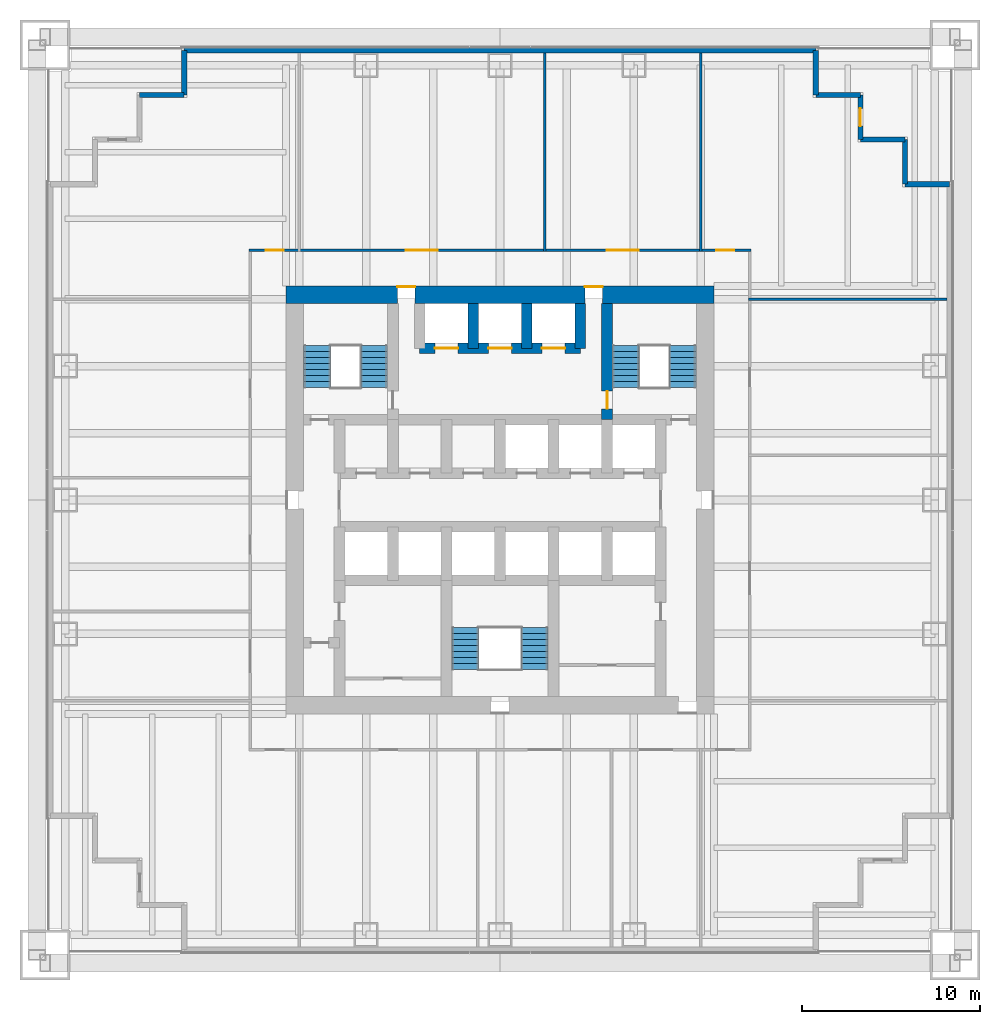
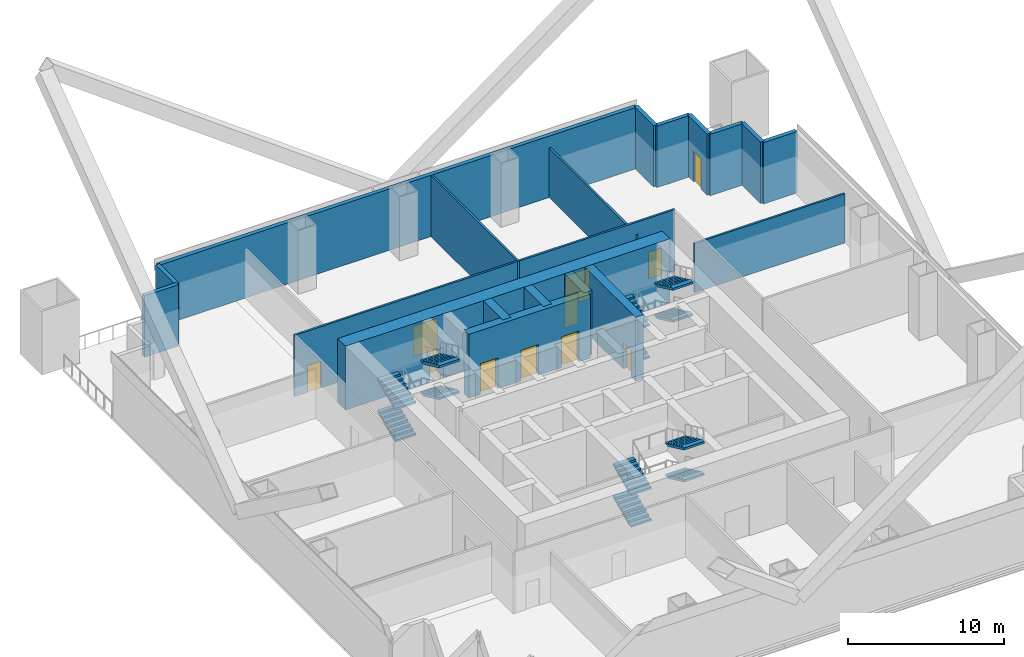
# One storey, part 4 of 6: 19 walls, 12 stair flights, 11 doors, 11 openings, 3 elements without a shape of their own.
"""IFC4 building model written with IfcOpenShell, lengths in metres."""

from ifc_helpers import new_model, si_unit, direction, frame, frame_2d, origin, place, context, subcontext, project, spatial, polyline, rectangle, outline, extrude, material, layer, layer_set, type_object, element, fill, aggregate, save


model = new_model("IFC4")

# Units and contexts
model_context = context("Model", 3, precision=1e-05, world=origin(), true_north=direction((0.0, 1.0)))
body_context = subcontext(model_context, "Body", "Model", "MODEL_VIEW")
ifc_project = project(units=[si_unit("LENGTHUNIT", "METRE"), si_unit("AREAUNIT", "SQUARE_METRE"), si_unit("VOLUMEUNIT", "CUBIC_METRE"), si_unit("PLANEANGLEUNIT", "RADIAN"), si_unit("MASSUNIT", "GRAM", prefix="KILO")], contexts=[model_context])

# Site, building, storey
site_placement = place(None, origin())
site = spatial("IfcSite", under=ifc_project, at=site_placement, CompositionType="ELEMENT")
building_placement = place(site_placement, origin())
building = spatial("IfcBuilding", under=site, at=building_placement, Name="Tarangal Relay Tower", CompositionType="ELEMENT")
storey_placement = place(building_placement, frame((0.0, 0.0, 38.39990234375)))
storey = spatial("IfcBuildingStorey", under=building, at=storey_placement, Name="L07", CompositionType="ELEMENT", Elevation=38.39990234375)

# Wall, openings, doors
ifc_material_1 = material(Name="Concrete fc' 60 MPa", Category="concrete")
ifc_layer_1 = layer(ifc_material_1, 0.60009765625)
ifc_layer_set_1 = layer_set([ifc_layer_1], Name="Core inner wall 600")
wall_type_1 = type_object("IfcWallType", Name="Core inner wall 600", PredefinedType="SHEAR", material=ifc_layer_set_1)
wall_1_placement = place(storey_placement, frame((-4.5, 8.5, 0.0), z_axis=(0.0, 0.0, 1.0), x_axis=(1.0, 0.0, 0.0)))
wall_1 = element("IfcWall", 1, at=wall_1_placement, inside=storey, type_object=wall_type_1, Name="Core wall Y85 L07", PredefinedType="SHEAR", context=body_context, shape_type="SweptSolid", body=[
    extrude(rectangle(XDim=9.0, YDim=0.60009765625, at=frame_2d((4.5, 0.0))), origin(), (0.0, 0.0, 1.0), 5.0),
])
opening_1_placement = place(wall_1_placement, frame((0.85009765625, 0.0, 0.0)))
opening_1 = element("IfcOpeningElement", 2, at=opening_1_placement, cuts=wall_1, Name="Opening LD2", PredefinedType="OPENING", context=body_context, shape_type="SweptSolid", body=[
    extrude(rectangle(XDim=1.300048828125, YDim=2.39990234375, at=frame_2d((0.64990234375, 1.199951171875))), frame((0.0, 0.31005859375, 0.0), z_axis=(0.0, -1.0, 0.0), x_axis=(1.0, 0.0, 0.0)), (0.0, 0.0, 1.0), 0.6201171875),
])
opening_2_placement = place(wall_1_placement, frame((6.85009765625, 0.0, 0.0)))
opening_2 = element("IfcOpeningElement", 3, at=opening_2_placement, cuts=wall_1, Name="Opening LD2", PredefinedType="OPENING", context=body_context, shape_type="SweptSolid", body=[
    extrude(rectangle(XDim=1.300048828125, YDim=2.39990234375, at=frame_2d((0.64990234375, 1.199951171875))), frame((0.0, 0.31005859375, 0.0), z_axis=(0.0, -1.0, 0.0), x_axis=(1.0, 0.0, 0.0)), (0.0, 0.0, 1.0), 0.6201171875),
])
opening_3_placement = place(wall_1_placement, frame((3.85009765625, 0.0, 0.0)))
opening_3 = element("IfcOpeningElement", 4, at=opening_3_placement, cuts=wall_1, Name="Opening LD2", PredefinedType="OPENING", context=body_context, shape_type="SweptSolid", body=[
    extrude(rectangle(XDim=1.300048828125, YDim=2.39990234375, at=frame_2d((0.64990234375, 1.199951171875))), frame((0.0, 0.31005859375, 0.0), z_axis=(0.0, -1.0, 0.0), x_axis=(1.0, 0.0, 0.0)), (0.0, 0.0, 1.0), 0.6201171875),
])
ifc_material_2 = material(Name="Steel door with hardwood frame", Category="steel")
door_type_1 = type_object("IfcDoorType", Name="Lift landing door 1300 x 2400", OperationType="SLIDING_TO_LEFT", PredefinedType="DOOR", material=ifc_material_2)
door_1_placement = place(opening_1_placement, origin())
door_1 = element("IfcDoor", 5, at=door_1_placement, inside=storey, type_object=door_type_1, Name="Lift FF1 landing door L07", OperationType="SLIDING_TO_LEFT", OverallHeight=2.39990234375, OverallWidth=1.300048828125, PredefinedType="DOOR", context=body_context, shape_type="SweptSolid", body=[
    extrude(rectangle(XDim=1.300048828125, YDim=2.39990234375, at=frame_2d((0.64990234375, 1.199951171875))), frame((0.0, 0.02490234375, 0.0), z_axis=(0.0, -1.0, 0.0), x_axis=(1.0, 0.0, 0.0)), (0.0, 0.0, 1.0), 0.050048828125),
])
fill(opening_1, door_1)
door_2_placement = place(opening_2_placement, origin())
door_2 = element("IfcDoor", 6, at=door_2_placement, inside=storey, type_object=door_type_1, Name="Lift FF2 landing door L07", OperationType="SLIDING_TO_LEFT", OverallHeight=2.39990234375, OverallWidth=1.300048828125, PredefinedType="DOOR", context=body_context, shape_type="SweptSolid", body=[
    extrude(rectangle(XDim=1.300048828125, YDim=2.39990234375, at=frame_2d((0.64990234375, 1.199951171875))), frame((0.0, 0.02490234375, 0.0), z_axis=(0.0, -1.0, 0.0), x_axis=(1.0, 0.0, 0.0)), (0.0, 0.0, 1.0), 0.050048828125),
])
fill(opening_2, door_2)
door_3_placement = place(opening_3_placement, origin())
door_3 = element("IfcDoor", 7, at=door_3_placement, inside=storey, type_object=door_type_1, Name="Lift SV1 landing door L07", OperationType="SLIDING_TO_LEFT", OverallHeight=2.39990234375, OverallWidth=1.300048828125, PredefinedType="DOOR", context=body_context, shape_type="SweptSolid", body=[
    extrude(rectangle(XDim=1.300048828125, YDim=2.39990234375, at=frame_2d((0.64990234375, 1.199951171875))), frame((0.0, 0.02490234375, 0.0), z_axis=(0.0, -1.0, 0.0), x_axis=(1.0, 0.0, 0.0)), (0.0, 0.0, 1.0), 0.050048828125),
])
fill(opening_3, door_3)

# Wall, opening, door
wall_2_placement = place(storey_placement, frame((6.0, 4.5, 0.0), z_axis=(0.0, 0.0, 1.0), x_axis=(0.0, 1.0, 0.0)))
wall_2 = element("IfcWall", 8, at=wall_2_placement, inside=storey, type_object=wall_type_1, Name="Core wall X6 L07", PredefinedType="SHEAR", context=body_context, shape_type="SweptSolid", body=[
    extrude(rectangle(XDim=6.5, YDim=0.60009765625, at=frame_2d((3.25, 0.0))), origin(), (0.0, 0.0, 1.0), 5.0),
])
opening_4_placement = place(wall_2_placement, frame((0.60009765625, 0.0, 0.0)))
opening_4 = element("IfcOpeningElement", 9, at=opening_4_placement, cuts=wall_2, Name="Opening FD1", PredefinedType="OPENING", context=body_context, shape_type="SweptSolid", body=[
    extrude(rectangle(XDim=1.0, YDim=2.10009765625, at=frame_2d((0.5, 1.050048828125))), frame((0.0, 0.31005859375, 0.0), z_axis=(0.0, -1.0, 0.0), x_axis=(1.0, 0.0, 0.0)), (0.0, 0.0, 1.0), 0.6201171875),
])
door_type_2 = type_object("IfcDoorType", Name="Fire door 1000 x 2100", OperationType="SINGLE_SWING_LEFT", PredefinedType="DOOR", material=ifc_material_2)
door_4_placement = place(opening_4_placement, origin())
door_4 = element("IfcDoor", 10, at=door_4_placement, inside=storey, type_object=door_type_2, Name="Stair ST-B door from fire-fighting lobby L07", OperationType="SINGLE_SWING_LEFT", OverallHeight=2.10009765625, OverallWidth=1.0, PredefinedType="DOOR", context=body_context, shape_type="SweptSolid", body=[
    extrude(rectangle(XDim=1.0, YDim=2.10009765625, at=frame_2d((0.5, 1.050048828125))), frame((0.0, 0.02490234375, 0.0), z_axis=(0.0, -1.0, 0.0), x_axis=(1.0, 0.0, 0.0)), (0.0, 0.0, 1.0), 0.050048828125),
])
fill(opening_4, door_4)

# Walls
for number, where, z_axis, x_axis, name in (
    (11, (4.5, 8.5, 0.0), (0.0, 0.0, 1.0), (0.0, 1.0, 0.0), "Core wall X45 L07"),
    (12, (-1.5, 8.5, 0.0), (0.0, 0.0, 1.0), (0.0, 1.0, 0.0), "Core wall XM15 L07"),
    (13, (1.5, 8.5, 0.0), (0.0, 0.0, 1.0), (0.0, 1.0, 0.0), "Core wall X15 L07"),
):
    element("IfcWall", number, at=place(storey_placement, frame(where, z_axis=z_axis, x_axis=x_axis)), inside=storey, type_object=wall_type_1, Name=name, PredefinedType="SHEAR", context=body_context, shape_type="SweptSolid", body=[
        extrude(rectangle(XDim=2.5, YDim=0.60009765625, at=frame_2d((1.25, 0.0))), origin(), (0.0, 0.0, 1.0), 5.0),
    ])

# Wall, openings, doors
ifc_layer_2 = layer(ifc_material_1, 1.0)
ifc_layer_set_2 = layer_set([ifc_layer_2], Name="Core wall 1000")
wall_type_2 = type_object("IfcWallType", Name="Core wall 1000", PredefinedType="SHEAR", material=ifc_layer_set_2)
wall_3_placement = place(storey_placement, frame((-12.0, 11.5, 0.0), z_axis=(0.0, 0.0, 1.0), x_axis=(1.0, 0.0, 0.0)))
wall_3 = element("IfcWall", 14, at=wall_3_placement, inside=storey, type_object=wall_type_2, Name="Core wall N L07", PredefinedType="SHEAR", context=body_context, shape_type="SweptSolid", body=[
    extrude(rectangle(XDim=24.0, YDim=1.0, at=frame_2d((12.0, 0.0))), origin(), (0.0, 0.0, 1.0), 5.0),
])
opening_5_placement = place(wall_3_placement, frame((6.25, 0.0, 0.0)))
opening_5 = element("IfcOpeningElement", 15, at=opening_5_placement, cuts=wall_3, Name="Opening FD3", PredefinedType="OPENING", context=body_context, shape_type="SweptSolid", body=[
    extrude(rectangle(XDim=1.0, YDim=2.39990234375, at=frame_2d((0.5, 1.199951171875))), frame((0.0, 0.510009765625, 0.0), z_axis=(0.0, -1.0, 0.0), x_axis=(1.0, 0.0, 0.0)), (0.0, 0.0, 1.0), 1.02001953125),
])
opening_6_placement = place(wall_3_placement, frame((16.75, 0.0, 0.0)))
opening_6 = element("IfcOpeningElement", 16, at=opening_6_placement, cuts=wall_3, Name="Opening FD3", PredefinedType="OPENING", context=body_context, shape_type="SweptSolid", body=[
    extrude(rectangle(XDim=1.0, YDim=2.39990234375, at=frame_2d((0.5, 1.199951171875))), frame((0.0, 0.510009765625, 0.0), z_axis=(0.0, -1.0, 0.0), x_axis=(1.0, 0.0, 0.0)), (0.0, 0.0, 1.0), 1.02001953125),
])
door_type_3 = type_object("IfcDoorType", Name="Fire door 1000 x 2400 core entry", OperationType="SINGLE_SWING_RIGHT", PredefinedType="DOOR", material=ifc_material_2)
door_5_placement = place(opening_5_placement, origin())
door_5 = element("IfcDoor", 17, at=door_5_placement, inside=storey, type_object=door_type_3, Name="Core entry door north west L07", OperationType="SINGLE_SWING_RIGHT", OverallHeight=2.39990234375, OverallWidth=1.0, PredefinedType="DOOR", context=body_context, shape_type="SweptSolid", body=[
    extrude(rectangle(XDim=1.0, YDim=2.39990234375, at=frame_2d((0.5, 1.199951171875))), frame((0.0, 0.48486328125, 0.0), z_axis=(0.0, -1.0, 0.0), x_axis=(1.0, 0.0, 0.0)), (0.0, 0.0, 1.0), 0.050048828125),
])
fill(opening_5, door_5)
door_6_placement = place(opening_6_placement, origin())
door_6 = element("IfcDoor", 18, at=door_6_placement, inside=storey, type_object=door_type_3, Name="Core entry door north east L07", OperationType="SINGLE_SWING_RIGHT", OverallHeight=2.39990234375, OverallWidth=1.0, PredefinedType="DOOR", context=body_context, shape_type="SweptSolid", body=[
    extrude(rectangle(XDim=1.0, YDim=2.39990234375, at=frame_2d((0.5, 1.199951171875))), frame((0.0, 0.48486328125, 0.0), z_axis=(0.0, -1.0, 0.0), x_axis=(1.0, 0.0, 0.0)), (0.0, 0.0, 1.0), 0.050048828125),
])
fill(opening_6, door_6)

# Walls
ifc_material_3 = material(Name="Insulated precast concrete fc' 40 MPa", Category="concrete")
ifc_layer_3 = layer(ifc_material_3, 0.300048828125)
ifc_layer_set_3 = layer_set([ifc_layer_3], Name="Insulated precast concrete fc' 40 MPa")
wall_type_3 = type_object("IfcWallType", Name="Facade wall precast 300", PredefinedType="SOLIDWALL", material=ifc_layer_set_3)
wall_4_placement = place(storey_placement, frame((-17.699951171875, 25.199951171875, 0.0), z_axis=(0.0, 0.0, 1.0), x_axis=(1.0, 0.0, 0.0)))
element("IfcWall", 19, at=wall_4_placement, inside=storey, type_object=wall_type_3, Name="Facade wall N facade L07", PredefinedType="SOLIDWALL", context=body_context, shape_type="SweptSolid", body=[
    extrude(rectangle(XDim=35.39990234375, YDim=0.300048828125, at=frame_2d((17.699951171875, 0.0))), origin(), (0.0, 0.0, 1.0), 4.800048828125),
])
for number, where, z_axis, x_axis, name in (
    (20, (17.699951171875, 25.199951171875, 0.0), (0.0, 0.0, 1.0), (0.0, -1.0, 0.0), "Facade wall N facade L07"),
    (21, (17.699951171875, 22.699951171875, 0.0), (0.0, 0.0, 1.0), (1.0, 0.0, 0.0), "Facade wall N facade L07"),
):
    element("IfcWall", number, at=place(storey_placement, frame(where, z_axis=z_axis, x_axis=x_axis)), inside=storey, type_object=wall_type_3, Name=name, PredefinedType="SOLIDWALL", context=body_context, shape_type="SweptSolid", body=[
        extrude(rectangle(XDim=2.5, YDim=0.300048828125, at=frame_2d((1.25, 0.0))), origin(), (0.0, 0.0, 1.0), 4.800048828125),
    ])

# Wall, opening, door
wall_5_placement = place(storey_placement, frame((20.199951171875, 22.699951171875, 0.0), z_axis=(0.0, 0.0, 1.0), x_axis=(0.0, -1.0, 0.0)))
wall_5 = element("IfcWall", 22, at=wall_5_placement, inside=storey, type_object=wall_type_3, Name="Facade wall N facade L07", PredefinedType="SOLIDWALL", context=body_context, shape_type="SweptSolid", body=[
    extrude(rectangle(XDim=2.5, YDim=0.300048828125, at=frame_2d((1.25, 0.0))), origin(), (0.0, 0.0, 1.0), 4.800048828125),
])
opening_7_placement = place(wall_5_placement, frame((0.75, 0.0, 0.0)))
opening_7 = element("IfcOpeningElement", 23, at=opening_7_placement, cuts=wall_5, Name="Opening TD1", PredefinedType="OPENING", context=body_context, shape_type="SweptSolid", body=[
    extrude(rectangle(XDim=1.0, YDim=2.39990234375, at=frame_2d((0.5, 1.199951171875))), frame((0.0, 0.159912109375, 0.0), z_axis=(0.0, -1.0, 0.0), x_axis=(1.0, 0.0, 0.0)), (0.0, 0.0, 1.0), 0.320068359375),
])
ifc_material_4 = material(Name="Aluminium glazed door", Category="aluminium")
door_type_4 = type_object("IfcDoorType", Name="Terrace door 1000 x 2400", OperationType="SINGLE_SWING_RIGHT", PredefinedType="DOOR", material=ifc_material_4)
door_7_placement = place(opening_7_placement, origin())
door_7 = element("IfcDoor", 24, at=door_7_placement, inside=storey, type_object=door_type_4, Name="Terrace door TD1 NE L07", OperationType="SINGLE_SWING_RIGHT", OverallHeight=2.39990234375, OverallWidth=1.0, PredefinedType="DOOR", context=body_context, shape_type="SweptSolid", body=[
    extrude(rectangle(XDim=1.0, YDim=2.39990234375, at=frame_2d((0.5, 1.199951171875))), frame((0.0, 0.02490234375, 0.0), z_axis=(0.0, -1.0, 0.0), x_axis=(1.0, 0.0, 0.0)), (0.0, 0.0, 1.0), 0.050048828125),
])
fill(opening_7, door_7)

# Walls
for number, where, z_axis, x_axis, name in (
    (25, (20.199951171875, 20.199951171875, 0.0), (0.0, 0.0, 1.0), (1.0, 0.0, 0.0), "Facade wall N facade L07"),
    (26, (22.699951171875, 20.199951171875, 0.0), (0.0, 0.0, 1.0), (0.0, -1.0, 0.0), "Facade wall N facade L07"),
    (27, (22.699951171875, 17.699951171875, 0.0), (0.0, 0.0, 1.0), (1.0, 0.0, 0.0), "Facade wall N facade L07"),
    (28, (-20.199951171875, 22.699951171875, 0.0), (0.0, 0.0, 1.0), (1.0, 0.0, 0.0), "Facade wall W facade L07"),
    (29, (-17.699951171875, 22.699951171875, 0.0), (0.0, 0.0, 1.0), (0.0, 1.0, 0.0), "Facade wall W facade L07"),
):
    element("IfcWall", number, at=place(storey_placement, frame(where, z_axis=z_axis, x_axis=x_axis)), inside=storey, type_object=wall_type_3, Name=name, PredefinedType="SOLIDWALL", context=body_context, shape_type="SweptSolid", body=[
        extrude(rectangle(XDim=2.5, YDim=0.300048828125, at=frame_2d((1.25, 0.0))), origin(), (0.0, 0.0, 1.0), 4.800048828125),
    ])
ifc_material_5 = material(Name="Gypsum board on steel studs", Category="steel")
ifc_layer_4 = layer(ifc_material_5, 0.14990234375)
ifc_layer_set_4 = layer_set([ifc_layer_4], Name="Partition 150")
wall_type_4 = type_object("IfcWallType", Name="Partition 150", PredefinedType="PARTITIONING", material=ifc_layer_set_4)
wall_6_placement = place(storey_placement, frame((13.925048828125, 11.25, 0.0), z_axis=(0.0, 0.0, 1.0), x_axis=(1.0, 0.0, 0.0)))
element("IfcWall", 30, at=wall_6_placement, inside=storey, type_object=wall_type_4, Name="Partition PT1 L07", PredefinedType="PARTITIONING", context=body_context, shape_type="SweptSolid", body=[
    extrude(rectangle(XDim=11.125, YDim=0.14990234375, at=frame_2d((5.5625, 0.0))), origin(), (0.0, 0.0, 1.0), 3.852783203125),
])

# Wall, openings, doors
wall_7_placement = place(storey_placement, frame((-14.074951171875, 14.0, 0.0), z_axis=(0.0, 0.0, 1.0), x_axis=(1.0, 0.0, 0.0)))
wall_7 = element("IfcWall", 31, at=wall_7_placement, inside=storey, type_object=wall_type_4, Name="Partition PT1 L07", PredefinedType="PARTITIONING", context=body_context, shape_type="SweptSolid", body=[
    extrude(rectangle(XDim=28.14990234375, YDim=0.14990234375, at=frame_2d((14.074951171875, 0.0))), origin(), (0.0, 0.0, 1.0), 4.800048828125),
])
opening_8_placement = place(wall_7_placement, frame((8.800048828125, 0.0, 0.0)))
opening_8 = element("IfcOpeningElement", 32, at=opening_8_placement, cuts=wall_7, Name="Opening DD1", PredefinedType="OPENING", context=body_context, shape_type="SweptSolid", body=[
    extrude(rectangle(XDim=1.800048828125, YDim=2.39990234375, at=frame_2d((0.89990234375, 1.199951171875))), frame((0.0, 0.0849609375, 0.0), z_axis=(0.0, -1.0, 0.0), x_axis=(1.0, 0.0, 0.0)), (0.0, 0.0, 1.0), 0.169921875),
])
opening_9_placement = place(wall_7_placement, frame((20.050048828125, 0.0, 0.0)))
opening_9 = element("IfcOpeningElement", 33, at=opening_9_placement, cuts=wall_7, Name="Opening DD1", PredefinedType="OPENING", context=body_context, shape_type="SweptSolid", body=[
    extrude(rectangle(XDim=1.800048828125, YDim=2.39990234375, at=frame_2d((0.89990234375, 1.199951171875))), frame((0.0, 0.0849609375, 0.0), z_axis=(0.0, -1.0, 0.0), x_axis=(1.0, 0.0, 0.0)), (0.0, 0.0, 1.0), 0.169921875),
])
opening_10_placement = place(wall_7_placement, frame((26.199951171875, 0.0, 0.0)))
opening_10 = element("IfcOpeningElement", 34, at=opening_10_placement, cuts=wall_7, Name="Opening D2", PredefinedType="OPENING", context=body_context, shape_type="SweptSolid", body=[
    extrude(rectangle(XDim=1.0, YDim=2.10009765625, at=frame_2d((0.5, 1.050048828125))), frame((0.0, 0.0849609375, 0.0), z_axis=(0.0, -1.0, 0.0), x_axis=(1.0, 0.0, 0.0)), (0.0, 0.0, 1.0), 0.169921875),
])
opening_11_placement = place(wall_7_placement, frame((0.949951171875, 0.0, 0.0)))
opening_11 = element("IfcOpeningElement", 35, at=opening_11_placement, cuts=wall_7, Name="Opening D2", PredefinedType="OPENING", context=body_context, shape_type="SweptSolid", body=[
    extrude(rectangle(XDim=1.0, YDim=2.10009765625, at=frame_2d((0.5, 1.050048828125))), frame((0.0, 0.0849609375, 0.0), z_axis=(0.0, -1.0, 0.0), x_axis=(1.0, 0.0, 0.0)), (0.0, 0.0, 1.0), 0.169921875),
])
ifc_material_6 = material(Name="Hardwood door", Category="wood")
door_type_5 = type_object("IfcDoorType", Name="Door 1000 x 2100", OperationType="SINGLE_SWING_LEFT", PredefinedType="DOOR", material=ifc_material_6)
door_8_placement = place(opening_10_placement, origin())
door_8 = element("IfcDoor", 36, at=door_8_placement, inside=storey, type_object=door_type_5, Name="Door D2 to engineering office L07-12", OperationType="SINGLE_SWING_LEFT", OverallHeight=2.10009765625, OverallWidth=1.0, PredefinedType="DOOR", context=body_context, shape_type="SweptSolid", body=[
    extrude(rectangle(XDim=1.0, YDim=2.10009765625, at=frame_2d((0.5, 1.050048828125))), frame((0.0, 0.02490234375, 0.0), z_axis=(0.0, -1.0, 0.0), x_axis=(1.0, 0.0, 0.0)), (0.0, 0.0, 1.0), 0.050048828125),
])
fill(opening_10, door_8)
door_9_placement = place(opening_11_placement, origin())
door_9 = element("IfcDoor", 37, at=door_9_placement, inside=storey, type_object=door_type_5, Name="Door D2 to network operations room L07-15", OperationType="SINGLE_SWING_LEFT", OverallHeight=2.10009765625, OverallWidth=1.0, PredefinedType="DOOR", context=body_context, shape_type="SweptSolid", body=[
    extrude(rectangle(XDim=1.0, YDim=2.10009765625, at=frame_2d((0.5, 1.050048828125))), frame((0.0, 0.02490234375, 0.0), z_axis=(0.0, -1.0, 0.0), x_axis=(1.0, 0.0, 0.0)), (0.0, 0.0, 1.0), 0.050048828125),
])
fill(opening_11, door_9)
door_type_6 = type_object("IfcDoorType", Name="Equipment double door 1800 x 2400", OperationType="DOUBLE_DOOR_SINGLE_SWING", PredefinedType="DOOR", material=ifc_material_2)
door_10_placement = place(opening_8_placement, origin())
door_10 = element("IfcDoor", 38, at=door_10_placement, inside=storey, type_object=door_type_6, Name="Door DD1 to data hall L07-02", OperationType="DOUBLE_DOOR_SINGLE_SWING", OverallHeight=2.39990234375, OverallWidth=1.800048828125, PredefinedType="DOOR", context=body_context, shape_type="SweptSolid", body=[
    extrude(rectangle(XDim=1.800048828125, YDim=2.39990234375, at=frame_2d((0.89990234375, 1.199951171875))), frame((0.0, 0.02490234375, 0.0), z_axis=(0.0, -1.0, 0.0), x_axis=(1.0, 0.0, 0.0)), (0.0, 0.0, 1.0), 0.050048828125),
])
fill(opening_8, door_10)
door_11_placement = place(opening_9_placement, origin())
door_11 = element("IfcDoor", 39, at=door_11_placement, inside=storey, type_object=door_type_6, Name="Door DD1 to meet-me room L07-03", OperationType="DOUBLE_DOOR_SINGLE_SWING", OverallHeight=2.39990234375, OverallWidth=1.800048828125, PredefinedType="DOOR", context=body_context, shape_type="SweptSolid", body=[
    extrude(rectangle(XDim=1.800048828125, YDim=2.39990234375, at=frame_2d((0.89990234375, 1.199951171875))), frame((0.0, 0.02490234375, 0.0), z_axis=(0.0, -1.0, 0.0), x_axis=(1.0, 0.0, 0.0)), (0.0, 0.0, 1.0), 0.050048828125),
])
fill(opening_9, door_11)

# Walls
wall_8_placement = place(storey_placement, frame((2.5, 13.925048828125, 0.0), z_axis=(0.0, 0.0, 1.0), x_axis=(0.0, 1.0, 0.0)))
element("IfcWall", 40, at=wall_8_placement, inside=storey, type_object=wall_type_4, Name="Partition PT1 L07", PredefinedType="PARTITIONING", context=body_context, shape_type="SweptSolid", body=[
    extrude(rectangle(XDim=11.125, YDim=0.14990234375, at=frame_2d((5.5625, 0.0))), origin(), (0.0, 0.0, 1.0), 4.800048828125),
])
wall_9_placement = place(storey_placement, frame((11.25, 13.925048828125, 0.0), z_axis=(0.0, 0.0, 1.0), x_axis=(0.0, 1.0, 0.0)))
element("IfcWall", 41, at=wall_9_placement, inside=storey, type_object=wall_type_4, Name="Partition PT1 L07", PredefinedType="PARTITIONING", context=body_context, shape_type="SweptSolid", body=[
    extrude(rectangle(XDim=11.125, YDim=0.14990234375, at=frame_2d((5.5625, 0.0))), origin(), (0.0, 0.0, 1.0), 3.852783203125),
])

# Stair, stair flights
ifc_material_7 = material(Name="Steel ASTM A992 stair flight", Category="steel")
stair_type = type_object("IfcStairType", Name="Core stair 1500", PredefinedType="HALF_TURN_STAIR", material=ifc_material_7)
stair_1_placement = place(storey_placement, origin())
stair_1 = element("IfcStair", 42, at=stair_1_placement, inside=storey, type_object=stair_type, Name="Stair ST-A L07", PredefinedType="HALF_TURN_STAIR")
stair_flight_type = type_object("IfcStairFlightType", Name="Steel stair flight 1500, 8 risers 156 x 335", PredefinedType="STRAIGHT", material=ifc_material_7)
stair_flight_1_placement = place(storey_placement, frame((-10.25, 6.300048828125, 0.0), z_axis=(0.0, 0.0, 1.0), x_axis=(0.0, 1.0, 0.0)))
stair_flight_1 = element("IfcStairFlight", 43, at=stair_flight_1_placement, type_object=stair_flight_type, Name="ST-A flight 1", NumberOfRisers=8, NumberOfTreads=7, PredefinedType="STRAIGHT", RiserHeight=0.15625, TreadLength=0.335, context=body_context, shape_type="SweptSolid", body=[
    extrude(outline(polyline([(0.0, 0.0), (0.0, 0.15625), (0.3349609375, 0.15625), (0.3349609375, 0.3125), (0.669921875, 0.3125), (0.669921875, 0.46875), (1.0048828125, 0.46875), (1.0048828125, 0.625), (1.340087890625, 0.625), (1.340087890625, 0.78125), (1.675048828125, 0.78125), (1.675048828125, 0.9375), (2.010009765625, 0.9375), (2.010009765625, 1.09375), (2.344970703125, 1.09375), (2.344970703125, 1.25), (2.344970703125, 0.92822265625), (0.354736328125, 0.0), (0.0, 0.0)])), frame((0.0, 0.75, 0.0), z_axis=(0.0, -1.0, 0.0), x_axis=(1.0, 0.0, 0.0)), (0.0, 0.0, 1.0), 1.5),
])
stair_flight_2_placement = place(storey_placement, frame((-7.050048828125, 8.64501953125, 1.25), z_axis=(0.0, 0.0, 1.0), x_axis=(0.0, -1.0, 0.0)))
stair_flight_2 = element("IfcStairFlight", 44, at=stair_flight_2_placement, type_object=stair_flight_type, Name="ST-A flight 2", NumberOfRisers=8, NumberOfTreads=7, PredefinedType="STRAIGHT", RiserHeight=0.15625, TreadLength=0.335, context=body_context, shape_type="SweptSolid", body=[
    extrude(outline(polyline([(0.0, 0.0), (0.0, 0.15625), (0.3349609375, 0.15625), (0.3349609375, 0.3125), (0.669921875, 0.3125), (0.669921875, 0.46875), (1.0048828125, 0.46875), (1.0048828125, 0.625), (1.340087890625, 0.625), (1.340087890625, 0.78125), (1.675048828125, 0.78125), (1.675048828125, 0.9375), (2.010009765625, 0.9375), (2.010009765625, 1.09375), (2.344970703125, 1.09375), (2.344970703125, 1.25), (2.344970703125, 0.92822265625), (0.354736328125, 0.0), (0.0, 0.0)])), frame((0.0, 0.75, 0.0), z_axis=(0.0, -1.0, 0.0), x_axis=(1.0, 0.0, 0.0)), (0.0, 0.0, 1.0), 1.5),
])
stair_flight_3_placement = place(storey_placement, frame((-10.25, 6.300048828125, 2.5), z_axis=(0.0, 0.0, 1.0), x_axis=(0.0, 1.0, 0.0)))
stair_flight_3 = element("IfcStairFlight", 45, at=stair_flight_3_placement, type_object=stair_flight_type, Name="ST-A flight 3", NumberOfRisers=8, NumberOfTreads=7, PredefinedType="STRAIGHT", RiserHeight=0.15625, TreadLength=0.335, context=body_context, shape_type="SweptSolid", body=[
    extrude(outline(polyline([(0.0, 0.0), (0.0, 0.15625), (0.3349609375, 0.15625), (0.3349609375, 0.3125), (0.669921875, 0.3125), (0.669921875, 0.46875), (1.0048828125, 0.46875), (1.0048828125, 0.625), (1.340087890625, 0.625), (1.340087890625, 0.78125), (1.675048828125, 0.78125), (1.675048828125, 0.9375), (2.010009765625, 0.9375), (2.010009765625, 1.09375), (2.344970703125, 1.09375), (2.344970703125, 1.25), (2.344970703125, 0.92822265625), (0.354736328125, 0.0), (0.0, 0.0)])), frame((0.0, 0.75, 0.0), z_axis=(0.0, -1.0, 0.0), x_axis=(1.0, 0.0, 0.0)), (0.0, 0.0, 1.0), 1.5),
])
stair_flight_4_placement = place(storey_placement, frame((-7.050048828125, 8.64501953125, 3.75), z_axis=(0.0, 0.0, 1.0), x_axis=(0.0, -1.0, 0.0)))
stair_flight_4 = element("IfcStairFlight", 46, at=stair_flight_4_placement, type_object=stair_flight_type, Name="ST-A flight 4", NumberOfRisers=8, NumberOfTreads=7, PredefinedType="STRAIGHT", RiserHeight=0.15625, TreadLength=0.335, context=body_context, shape_type="SweptSolid", body=[
    extrude(outline(polyline([(0.0, 0.0), (0.0, 0.15625), (0.3349609375, 0.15625), (0.3349609375, 0.3125), (0.669921875, 0.3125), (0.669921875, 0.46875), (1.0048828125, 0.46875), (1.0048828125, 0.625), (1.340087890625, 0.625), (1.340087890625, 0.78125), (1.675048828125, 0.78125), (1.675048828125, 0.9375), (2.010009765625, 0.9375), (2.010009765625, 1.09375), (2.344970703125, 1.09375), (2.344970703125, 1.25), (2.344970703125, 0.92822265625), (0.354736328125, 0.0), (0.0, 0.0)])), frame((0.0, 0.75, 0.0), z_axis=(0.0, -1.0, 0.0), x_axis=(1.0, 0.0, 0.0)), (0.0, 0.0, 1.0), 1.5),
])
aggregate(stair_1, [stair_flight_1, stair_flight_2, stair_flight_3, stair_flight_4])

stair_2_placement = place(storey_placement, origin())
stair_2 = element("IfcStair", 47, at=stair_2_placement, inside=storey, type_object=stair_type, Name="Stair ST-B L07", PredefinedType="HALF_TURN_STAIR")
stair_flight_5_placement = place(storey_placement, frame((7.050048828125, 6.300048828125, 0.0), z_axis=(0.0, 0.0, 1.0), x_axis=(0.0, 1.0, 0.0)))
stair_flight_5 = element("IfcStairFlight", 48, at=stair_flight_5_placement, type_object=stair_flight_type, Name="ST-B flight 1", NumberOfRisers=8, NumberOfTreads=7, PredefinedType="STRAIGHT", RiserHeight=0.15625, TreadLength=0.335, context=body_context, shape_type="SweptSolid", body=[
    extrude(outline(polyline([(0.0, 0.0), (0.0, 0.15625), (0.3349609375, 0.15625), (0.3349609375, 0.3125), (0.669921875, 0.3125), (0.669921875, 0.46875), (1.0048828125, 0.46875), (1.0048828125, 0.625), (1.340087890625, 0.625), (1.340087890625, 0.78125), (1.675048828125, 0.78125), (1.675048828125, 0.9375), (2.010009765625, 0.9375), (2.010009765625, 1.09375), (2.344970703125, 1.09375), (2.344970703125, 1.25), (2.344970703125, 0.92822265625), (0.354736328125, 0.0), (0.0, 0.0)])), frame((0.0, 0.75, 0.0), z_axis=(0.0, -1.0, 0.0), x_axis=(1.0, 0.0, 0.0)), (0.0, 0.0, 1.0), 1.5),
])
stair_flight_6_placement = place(storey_placement, frame((10.25, 8.64501953125, 1.25), z_axis=(0.0, 0.0, 1.0), x_axis=(0.0, -1.0, 0.0)))
stair_flight_6 = element("IfcStairFlight", 49, at=stair_flight_6_placement, type_object=stair_flight_type, Name="ST-B flight 2", NumberOfRisers=8, NumberOfTreads=7, PredefinedType="STRAIGHT", RiserHeight=0.15625, TreadLength=0.335, context=body_context, shape_type="SweptSolid", body=[
    extrude(outline(polyline([(0.0, 0.0), (0.0, 0.15625), (0.3349609375, 0.15625), (0.3349609375, 0.3125), (0.669921875, 0.3125), (0.669921875, 0.46875), (1.0048828125, 0.46875), (1.0048828125, 0.625), (1.340087890625, 0.625), (1.340087890625, 0.78125), (1.675048828125, 0.78125), (1.675048828125, 0.9375), (2.010009765625, 0.9375), (2.010009765625, 1.09375), (2.344970703125, 1.09375), (2.344970703125, 1.25), (2.344970703125, 0.92822265625), (0.354736328125, 0.0), (0.0, 0.0)])), frame((0.0, 0.75, 0.0), z_axis=(0.0, -1.0, 0.0), x_axis=(1.0, 0.0, 0.0)), (0.0, 0.0, 1.0), 1.5),
])
stair_flight_7_placement = place(storey_placement, frame((7.050048828125, 6.300048828125, 2.5), z_axis=(0.0, 0.0, 1.0), x_axis=(0.0, 1.0, 0.0)))
stair_flight_7 = element("IfcStairFlight", 50, at=stair_flight_7_placement, type_object=stair_flight_type, Name="ST-B flight 3", NumberOfRisers=8, NumberOfTreads=7, PredefinedType="STRAIGHT", RiserHeight=0.15625, TreadLength=0.335, context=body_context, shape_type="SweptSolid", body=[
    extrude(outline(polyline([(0.0, 0.0), (0.0, 0.15625), (0.3349609375, 0.15625), (0.3349609375, 0.3125), (0.669921875, 0.3125), (0.669921875, 0.46875), (1.0048828125, 0.46875), (1.0048828125, 0.625), (1.340087890625, 0.625), (1.340087890625, 0.78125), (1.675048828125, 0.78125), (1.675048828125, 0.9375), (2.010009765625, 0.9375), (2.010009765625, 1.09375), (2.344970703125, 1.09375), (2.344970703125, 1.25), (2.344970703125, 0.92822265625), (0.354736328125, 0.0), (0.0, 0.0)])), frame((0.0, 0.75, 0.0), z_axis=(0.0, -1.0, 0.0), x_axis=(1.0, 0.0, 0.0)), (0.0, 0.0, 1.0), 1.5),
])
stair_flight_8_placement = place(storey_placement, frame((10.25, 8.64501953125, 3.75), z_axis=(0.0, 0.0, 1.0), x_axis=(0.0, -1.0, 0.0)))
stair_flight_8 = element("IfcStairFlight", 51, at=stair_flight_8_placement, type_object=stair_flight_type, Name="ST-B flight 4", NumberOfRisers=8, NumberOfTreads=7, PredefinedType="STRAIGHT", RiserHeight=0.15625, TreadLength=0.335, context=body_context, shape_type="SweptSolid", body=[
    extrude(outline(polyline([(0.0, 0.0), (0.0, 0.15625), (0.3349609375, 0.15625), (0.3349609375, 0.3125), (0.669921875, 0.3125), (0.669921875, 0.46875), (1.0048828125, 0.46875), (1.0048828125, 0.625), (1.340087890625, 0.625), (1.340087890625, 0.78125), (1.675048828125, 0.78125), (1.675048828125, 0.9375), (2.010009765625, 0.9375), (2.010009765625, 1.09375), (2.344970703125, 1.09375), (2.344970703125, 1.25), (2.344970703125, 0.92822265625), (0.354736328125, 0.0), (0.0, 0.0)])), frame((0.0, 0.75, 0.0), z_axis=(0.0, -1.0, 0.0), x_axis=(1.0, 0.0, 0.0)), (0.0, 0.0, 1.0), 1.5),
])
aggregate(stair_2, [stair_flight_5, stair_flight_6, stair_flight_7, stair_flight_8])

stair_3_placement = place(storey_placement, origin())
stair_3 = element("IfcStair", 52, at=stair_3_placement, inside=storey, type_object=stair_type, Name="Stair ST-C L07", PredefinedType="HALF_TURN_STAIR")
stair_flight_9_placement = place(storey_placement, frame((-1.949951171875, -9.5, 0.0), z_axis=(0.0, 0.0, 1.0), x_axis=(0.0, 1.0, 0.0)))
stair_flight_9 = element("IfcStairFlight", 53, at=stair_flight_9_placement, type_object=stair_flight_type, Name="ST-C flight 1", NumberOfRisers=8, NumberOfTreads=7, PredefinedType="STRAIGHT", RiserHeight=0.15625, TreadLength=0.335, context=body_context, shape_type="SweptSolid", body=[
    extrude(outline(polyline([(0.0, 0.0), (0.0, 0.15625), (0.3349609375, 0.15625), (0.3349609375, 0.3125), (0.669921875, 0.3125), (0.669921875, 0.46875), (1.0048828125, 0.46875), (1.0048828125, 0.625), (1.340087890625, 0.625), (1.340087890625, 0.78125), (1.675048828125, 0.78125), (1.675048828125, 0.9375), (2.010009765625, 0.9375), (2.010009765625, 1.09375), (2.344970703125, 1.09375), (2.344970703125, 1.25), (2.344970703125, 0.92822265625), (0.354736328125, 0.0), (0.0, 0.0)])), frame((0.0, 0.75, 0.0), z_axis=(0.0, -1.0, 0.0), x_axis=(1.0, 0.0, 0.0)), (0.0, 0.0, 1.0), 1.5),
])
stair_flight_10_placement = place(storey_placement, frame((1.949951171875, -7.155029296875, 1.25), z_axis=(0.0, 0.0, 1.0), x_axis=(0.0, -1.0, 0.0)))
stair_flight_10 = element("IfcStairFlight", 54, at=stair_flight_10_placement, type_object=stair_flight_type, Name="ST-C flight 2", NumberOfRisers=8, NumberOfTreads=7, PredefinedType="STRAIGHT", RiserHeight=0.15625, TreadLength=0.335, context=body_context, shape_type="SweptSolid", body=[
    extrude(outline(polyline([(0.0, 0.0), (0.0, 0.15625), (0.3349609375, 0.15625), (0.3349609375, 0.3125), (0.669921875, 0.3125), (0.669921875, 0.46875), (1.0048828125, 0.46875), (1.0048828125, 0.625), (1.340087890625, 0.625), (1.340087890625, 0.78125), (1.675048828125, 0.78125), (1.675048828125, 0.9375), (2.010009765625, 0.9375), (2.010009765625, 1.09375), (2.344970703125, 1.09375), (2.344970703125, 1.25), (2.344970703125, 0.92822265625), (0.354736328125, 0.0), (0.0, 0.0)])), frame((0.0, 0.75, 0.0), z_axis=(0.0, -1.0, 0.0), x_axis=(1.0, 0.0, 0.0)), (0.0, 0.0, 1.0), 1.5),
])
stair_flight_11_placement = place(storey_placement, frame((-1.949951171875, -9.5, 2.5), z_axis=(0.0, 0.0, 1.0), x_axis=(0.0, 1.0, 0.0)))
stair_flight_11 = element("IfcStairFlight", 55, at=stair_flight_11_placement, type_object=stair_flight_type, Name="ST-C flight 3", NumberOfRisers=8, NumberOfTreads=7, PredefinedType="STRAIGHT", RiserHeight=0.15625, TreadLength=0.335, context=body_context, shape_type="SweptSolid", body=[
    extrude(outline(polyline([(0.0, 0.0), (0.0, 0.15625), (0.3349609375, 0.15625), (0.3349609375, 0.3125), (0.669921875, 0.3125), (0.669921875, 0.46875), (1.0048828125, 0.46875), (1.0048828125, 0.625), (1.340087890625, 0.625), (1.340087890625, 0.78125), (1.675048828125, 0.78125), (1.675048828125, 0.9375), (2.010009765625, 0.9375), (2.010009765625, 1.09375), (2.344970703125, 1.09375), (2.344970703125, 1.25), (2.344970703125, 0.92822265625), (0.354736328125, 0.0), (0.0, 0.0)])), frame((0.0, 0.75, 0.0), z_axis=(0.0, -1.0, 0.0), x_axis=(1.0, 0.0, 0.0)), (0.0, 0.0, 1.0), 1.5),
])
stair_flight_12_placement = place(storey_placement, frame((1.949951171875, -7.155029296875, 3.75), z_axis=(0.0, 0.0, 1.0), x_axis=(0.0, -1.0, 0.0)))
stair_flight_12 = element("IfcStairFlight", 56, at=stair_flight_12_placement, type_object=stair_flight_type, Name="ST-C flight 4", NumberOfRisers=8, NumberOfTreads=7, PredefinedType="STRAIGHT", RiserHeight=0.15625, TreadLength=0.335, context=body_context, shape_type="SweptSolid", body=[
    extrude(outline(polyline([(0.0, 0.0), (0.0, 0.15625), (0.3349609375, 0.15625), (0.3349609375, 0.3125), (0.669921875, 0.3125), (0.669921875, 0.46875), (1.0048828125, 0.46875), (1.0048828125, 0.625), (1.340087890625, 0.625), (1.340087890625, 0.78125), (1.675048828125, 0.78125), (1.675048828125, 0.9375), (2.010009765625, 0.9375), (2.010009765625, 1.09375), (2.344970703125, 1.09375), (2.344970703125, 1.25), (2.344970703125, 0.92822265625), (0.354736328125, 0.0), (0.0, 0.0)])), frame((0.0, 0.75, 0.0), z_axis=(0.0, -1.0, 0.0), x_axis=(1.0, 0.0, 0.0)), (0.0, 0.0, 1.0), 1.5),
])
aggregate(stair_3, [stair_flight_9, stair_flight_10, stair_flight_11, stair_flight_12])

save(model, "model.ifc")
